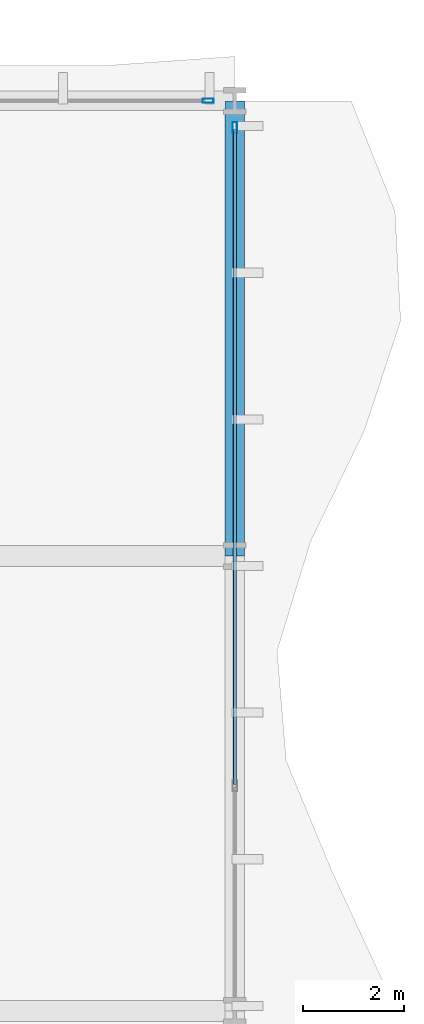
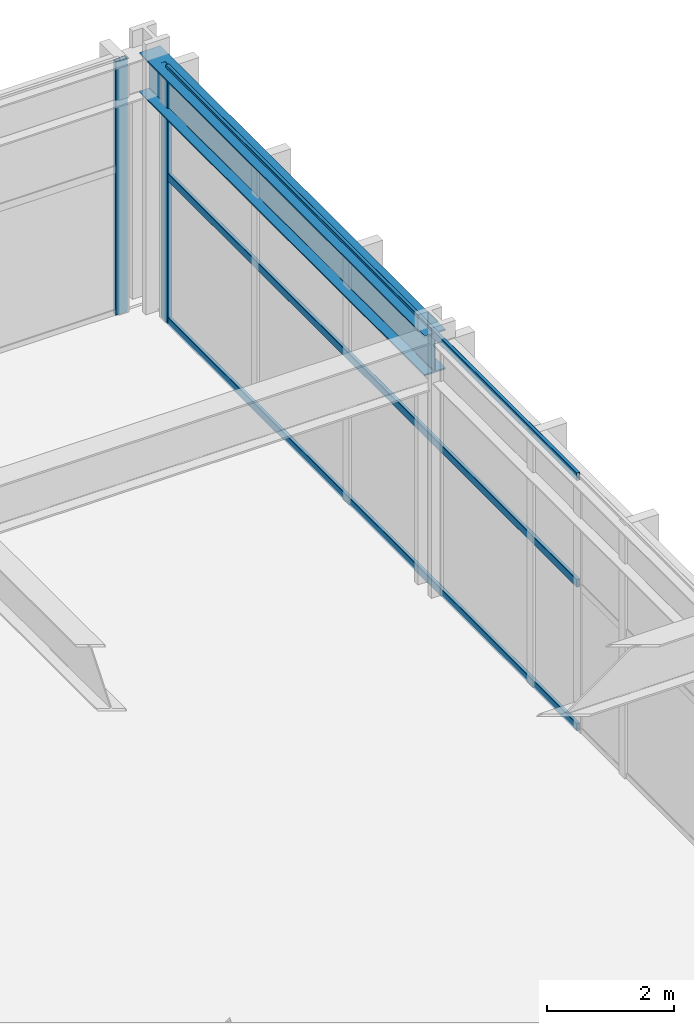
# One storey, part 20 of 33: 5 members, 1 beam, 2 elements without a shape of their own.
"""IFC4 building model written with IfcOpenShell, lengths in metres."""

import ifcopenshell
import ifcopenshell.guid

model = None  # the IFC model being written
_history = None  # IfcOwnerHistory: only IFC2X3 demands one
_inside = {}  # id of a spatial element -> (the spatial element, [elements in it])
_under = {}  # id of a project, library or spatial element -> (it, [spatial elements below it])
_declared = {}  # id of a project -> (the project, [libraries it declares])
_typed = {}  # id of a type object -> (the type object, [elements of that type])
_made_of = {}  # id of a material, layer set ... -> (it, [elements and type objects made of it])


def new_model(schema):
    """Start an empty IFC model of exactly this schema.

    Asked for "IFC4X3", IfcOpenShell would pick the latest addendum, in which some entities
    have other attributes; the version numbers below select the first issue.
    IFC2X3 requires an IfcOwnerHistory on every rooted entity: one is made here for all.
    """
    global model, _history
    if schema == "IFC4X3":
        model = ifcopenshell.file(schema_version=(4, 3, 0, 0))
    else:
        model = ifcopenshell.file(schema=schema)
    _inside.clear()
    _under.clear()
    _declared.clear()
    _typed.clear()
    _made_of.clear()
    _history = None
    if model.schema == "IFC2X3":
        org = make("IfcOrganization", Name="unknown")
        user = make(
            "IfcPersonAndOrganization",
            ThePerson=make("IfcPerson", FamilyName="unknown"),
            TheOrganization=org,
        )
        app = make(
            "IfcApplication",
            ApplicationDeveloper=org,
            Version="unknown",
            ApplicationFullName="unknown",
            ApplicationIdentifier="unknown",
        )
        _history = make(
            "IfcOwnerHistory",
            OwningUser=user,
            OwningApplication=app,
            ChangeAction="ADDED",
            CreationDate=0,
        )
    return model


def make(cls, **values):
    """One entity of the class cls with the attributes given. An attribute that is None is left unset."""
    return model.create_entity(
        cls, **{name: value for name, value in values.items() if value is not None}
    )


def rooted(cls, **values):
    """An entity with a GlobalId (a new one), such as an element, a storey or a relation."""
    return make(cls, GlobalId=ifcopenshell.guid.new(), OwnerHistory=_history, **values)


def si_unit(unit_type, name, prefix=None):
    """IfcSIUnit, for example si_unit("LENGTHUNIT", "METRE", prefix="MILLI")."""
    return make("IfcSIUnit", UnitType=unit_type, Prefix=prefix, Name=name)


def assignment(units):
    """IfcUnitAssignment: the units of a project."""
    return None if units is None else make("IfcUnitAssignment", Units=units)


def point(xyz):
    """IfcCartesianPoint."""
    return None if xyz is None else make("IfcCartesianPoint", Coordinates=xyz)


def direction(xyz):
    """IfcDirection."""
    return None if xyz is None else make("IfcDirection", DirectionRatios=xyz)


def frame(location, z_axis=None, x_axis=None):
    """IfcAxis2Placement3D, a coordinate frame: its origin and axes. An axis left out is left unset."""
    return make(
        "IfcAxis2Placement3D",
        Location=point(location),
        Axis=direction(z_axis),
        RefDirection=direction(x_axis),
    )


def frame_2d(location, x_axis=None):
    """IfcAxis2Placement2D, a coordinate frame in the plane: its origin and x axis."""
    return make(
        "IfcAxis2Placement2D", Location=point(location), RefDirection=direction(x_axis)
    )


def origin():
    """The frame at (0, 0, 0) with its axes left unset."""
    return frame((0.0, 0.0, 0.0))


def origin_2d():
    """The frame at (0, 0) in the plane with its x axis left unset."""
    return frame_2d((0.0, 0.0))


def place(relative_to, where):
    """IfcLocalPlacement: puts the frame where relative to a parent placement (None: the world)."""
    return make(
        "IfcLocalPlacement", PlacementRelTo=relative_to, RelativePlacement=where
    )


def context(
    kind, dimensions, precision=None, world=None, true_north=None, identifier=None
):
    """IfcGeometricRepresentationContext, for example the 3D "Model" context."""
    return make(
        "IfcGeometricRepresentationContext",
        ContextIdentifier=identifier,
        ContextType=kind,
        CoordinateSpaceDimension=dimensions,
        Precision=precision,
        WorldCoordinateSystem=world,
        TrueNorth=true_north,
    )


def subcontext(parent, identifier, kind, view, scale=None):
    """IfcGeometricRepresentationSubContext, for example "Body" below "Model"."""
    return make(
        "IfcGeometricRepresentationSubContext",
        ContextIdentifier=identifier,
        ContextType=kind,
        ParentContext=parent,
        TargetScale=scale,
        TargetView=view,
    )


def project(units=None, contexts=None):
    """IfcProject with its units and contexts."""
    return rooted(
        "IfcProject",
        Name="project",
        RepresentationContexts=contexts,
        UnitsInContext=assignment(units),
    )


def spatial(cls, under=None, at=None, **own):
    """A site, building, storey or space (cls), placed at a placement, below another one or the project."""
    s = rooted(cls, ObjectPlacement=at, **own)
    if under is not None:
        _under.setdefault(under.id(), (under, []))[1].append(s)
    return s


def profile(cls, at=None, kind="AREA", **sizes):
    """A parametric profile (cls). Its sizes go by their IFC names, for example OverallWidth=200.0."""
    return make(cls, ProfileType=kind, Position=at, **sizes)


def hollow_rectangle(**sizes):
    """IfcRectangleHollowProfileDef."""
    return profile("IfcRectangleHollowProfileDef", **sizes)


def i_section(**sizes):
    """IfcIShapeProfileDef."""
    return profile("IfcIShapeProfileDef", **sizes)


def extrude(swept, where, along, depth):
    """IfcExtrudedAreaSolid: the profile swept, set in the frame where, extruded along a direction by depth."""
    return make(
        "IfcExtrudedAreaSolid",
        SweptArea=swept,
        Position=where,
        ExtrudedDirection=direction(along),
        Depth=depth,
    )


def shape(context_of_items, identifier, shape_type, items):
    """IfcShapeRepresentation: the items that make up one representation, for example the "Body"."""
    return make(
        "IfcShapeRepresentation",
        ContextOfItems=context_of_items,
        RepresentationIdentifier=identifier,
        RepresentationType=shape_type,
        Items=items,
    )


def material(Name=None, Category=None):
    """IfcMaterial."""
    return make("IfcMaterial", Name=Name, Category=Category)


def layer(
    of_material, thickness, ventilated=None, Name=None, Category=None, Priority=None
):
    """IfcMaterialLayer: one layer of a wall or slab, of a material (None: an air gap)."""
    return make(
        "IfcMaterialLayer",
        Material=of_material,
        LayerThickness=thickness,
        IsVentilated=ventilated,
        Name=Name,
        Category=Category,
        Priority=Priority,
    )


def layer_set(layers, Name=None):
    """IfcMaterialLayerSet."""
    return make("IfcMaterialLayerSet", MaterialLayers=layers, LayerSetName=Name)


def material_profile(
    of_material, cross_section, Name=None, Category=None, Priority=None
):
    """IfcMaterialProfile: a cross section and its material."""
    return make(
        "IfcMaterialProfile",
        Name=Name,
        Material=of_material,
        Profile=cross_section,
        Priority=Priority,
        Category=Category,
    )


def profile_set(profiles, Name=None, composite=None):
    """IfcMaterialProfileSet."""
    return make(
        "IfcMaterialProfileSet",
        Name=Name,
        MaterialProfiles=profiles,
        CompositeProfile=composite,
    )


def made_of(thing, what):
    """Note that an element or type object is made of a material, layer set ...; save() writes the relation."""
    if what is not None:
        _made_of.setdefault(what.id(), (what, []))[1].append(thing)
    return thing


def type_object(cls, material=None, **own):
    """A type object (cls), such as IfcWallType, which elements share."""
    return made_of(rooted(cls, **own), material)


def element(
    cls,
    number,
    at=None,
    inside=None,
    cuts=None,
    type_object=None,
    material=None,
    context=None,
    identifier="Body",
    shape_type=None,
    held_by="IfcProductDefinitionShape",
    body=None,
    shapes=None,
    **own,
):
    """One element of the class cls, such as IfcWall. Its Tag is "e" and its number.

    at: its placement. inside: the storey or other place that contains it. cuts: it is an
    opening in that element (IfcRelVoidsElement). A single representation is given by context,
    identifier, shape_type and body (its items); several are given by shapes. held_by: the class
    of the entity that holds the representations. save() writes the other relations.
    """
    e = rooted(cls, Tag="e%d" % number, ObjectPlacement=at, **own)
    if body is not None:
        shapes = [shape(context, identifier, shape_type, body)]
    if shapes is not None:
        e.Representation = make(held_by, Representations=shapes)
    if inside is not None:
        _inside.setdefault(inside.id(), (inside, []))[1].append(e)
    if cuts is not None:
        rooted(
            "IfcRelVoidsElement", RelatingBuildingElement=cuts, RelatedOpeningElement=e
        )
    if type_object is not None:
        _typed.setdefault(type_object.id(), (type_object, []))[1].append(e)
    return made_of(e, material)


def aggregate(whole, parts):
    """IfcRelAggregates: a whole, such as a stair, and the parts it consists of."""
    return rooted("IfcRelAggregates", RelatingObject=whole, RelatedObjects=parts)


def save(model, path):
    """Write the relations noted so far, then the file.

    IfcRelAggregates (storeys below a building ...), IfcRelContainedInSpatialStructure (elements
    in a storey), IfcRelDefinesByType, IfcRelAssociatesMaterial and IfcRelDeclares: one each for
    every whole, place, type object, material and project.
    """
    for whole, parts in _under.values():
        aggregate(whole, parts)
    for where, things in _inside.values():
        rooted(
            "IfcRelContainedInSpatialStructure",
            RelatedElements=things,
            RelatingStructure=where,
        )
    for kind, things in _typed.values():
        rooted("IfcRelDefinesByType", RelatedObjects=things, RelatingType=kind)
    for what, things in _made_of.values():
        rooted("IfcRelAssociatesMaterial", RelatedObjects=things, RelatingMaterial=what)
    for by, libraries in _declared.values():
        rooted("IfcRelDeclares", RelatingContext=by, RelatedDefinitions=libraries)
    model.write(path)


model = new_model("IFC4")

# Units and contexts
model_context = context("Model", 3, precision=1e-05, world=origin(), true_north=direction((0.0, 1.0)))
body_context = subcontext(model_context, "Body", "Model", "MODEL_VIEW")
ifc_project = project(units=[si_unit("LENGTHUNIT", "METRE"), si_unit("AREAUNIT", "SQUARE_METRE"), si_unit("VOLUMEUNIT", "CUBIC_METRE"), si_unit("PLANEANGLEUNIT", "RADIAN"), si_unit("MASSUNIT", "GRAM", prefix="KILO")], contexts=[model_context])

# Site, building, storey
site_placement = place(None, origin())
site = spatial("IfcSite", under=ifc_project, at=site_placement, CompositionType="ELEMENT")
building_placement = place(site_placement, origin())
building = spatial("IfcBuilding", under=site, at=building_placement, Name="Solvaryn Broadcast Tower", CompositionType="ELEMENT")
storey_placement = place(building_placement, frame((0.0, 0.0, 5.800048828125)))
storey = spatial("IfcBuildingStorey", under=building, at=storey_placement, Name="L01", CompositionType="ELEMENT", Elevation=5.800048828125)

# Beam
ifc_material_1 = material(Name="Steel ASTM A992 Grade 50", Category="steel")
ifc_material_profile_1 = material_profile(ifc_material_1, i_section(OverallWidth=0.381103515625, OverallDepth=0.77294921875, WebThickness=0.0166015625, FlangeThickness=0.027099609375, FilletRadius=0.01806640625, at=origin_2d()))
ifc_profile_set_1 = profile_set([ifc_material_profile_1], Name="Steel ASTM A992 Grade 50")
beam_type = type_object("IfcBeamType", Name="BM-SP1-W30X173", PredefinedType="USERDEFINED", material=ifc_profile_set_1)
beam_placement = place(storey_placement, frame((63.0, 45.0, 4.493408203125), z_axis=(0.0, 1.0, 0.0), x_axis=(-1.0, 0.0, 0.0)))
element("IfcBeam", 1, at=beam_placement, inside=storey, type_object=beam_type, Name="L01 Spandrel Beam Y (45-54 @ X=63)", ObjectType="SPANDREL", PredefinedType="USERDEFINED", context=body_context, shape_type="SweptSolid", body=[
    extrude(i_section(OverallWidth=0.381103515625, OverallDepth=0.77294921875, WebThickness=0.0166015625, FlangeThickness=0.027099609375, FilletRadius=0.01806640625, at=origin_2d()), origin(), (0.0, 0.0, 1.0), 9.0),
])

# Curtain wall, member
ifc_material_2 = material(Name="Aluminium and Terracotta Unitised Curtain Wall", Category="masonry")
ifc_layer = layer(ifc_material_2, 0.219970703125)
ifc_layer_set = layer_set([ifc_layer], Name="CW-SYS1-PODIUM")
curtain_wall_type = type_object("IfcCurtainWallType", Name="CW-SYS1-PODIUM", PredefinedType="NOTDEFINED", material=ifc_layer_set)
curtain_wall_1_placement = place(storey_placement, origin())
curtain_wall_1 = element("IfcCurtainWall", 2, at=curtain_wall_1_placement, inside=storey, type_object=curtain_wall_type, Name="L01 Podium Curtain Wall N2", PredefinedType="NOTDEFINED")
ifc_material_3 = material(Name="Anodised Aluminium 6063-T6", Category="aluminium")
ifc_material_profile_2 = material_profile(ifc_material_3, hollow_rectangle(XDim=0.0849609375, YDim=0.219970703125, WallThickness=0.0048828125, InnerFilletRadius=0.0048828125, OuterFilletRadius=0.010009765625, at=origin_2d()))
ifc_profile_set_2 = profile_set([ifc_material_profile_2], Name="Anodised Aluminium 6063-T6")
member_type_1 = type_object("IfcMemberType", Name="CW-MUL-220", PredefinedType="MULLION", material=ifc_profile_set_2)
member_1_placement = place(storey_placement, frame((62.469970703125, 54.0, 0.0), z_axis=(0.0, 0.0, 1.0), x_axis=(0.0, 1.0, 0.0)))
member_1 = element("IfcMember", 3, at=member_1_placement, type_object=member_type_1, Name="CWS1 mullion 3", PredefinedType="MULLION", context=body_context, shape_type="SweptSolid", body=[
    extrude(hollow_rectangle(XDim=0.0849609375, YDim=0.219970703125, WallThickness=0.0048828125, InnerFilletRadius=0.0048828125, OuterFilletRadius=0.010009765625, at=origin_2d()), origin(), (0.0, 0.0, 1.0), 4.8798828125),
])
aggregate(curtain_wall_1, [member_1])

# Curtain wall, members
curtain_wall_2_placement = place(storey_placement, origin())
curtain_wall_2 = element("IfcCurtainWall", 4, at=curtain_wall_2_placement, inside=storey, type_object=curtain_wall_type, Name="L01 Podium Curtain Wall E1", PredefinedType="NOTDEFINED")
member_2_placement = place(storey_placement, frame((63.0, 53.469970703125, 0.0), z_axis=(0.0, 0.0, 1.0), x_axis=(1.0, 0.0, 0.0)))
member_2 = element("IfcMember", 5, at=member_2_placement, type_object=member_type_1, Name="CWS1 mullion 1", PredefinedType="MULLION", context=body_context, shape_type="SweptSolid", body=[
    extrude(hollow_rectangle(XDim=0.0849609375, YDim=0.219970703125, WallThickness=0.0048828125, InnerFilletRadius=0.0048828125, OuterFilletRadius=0.010009765625, at=origin_2d()), origin(), (0.0, 0.0, 1.0), 4.8798828125),
])
ifc_material_4 = material(Name="Anodised Aluminium 6063-T6", Category="aluminium")
ifc_material_profile_3 = material_profile(ifc_material_4, hollow_rectangle(XDim=0.06494140625, YDim=0.14990234375, WallThickness=0.00390625, InnerFilletRadius=0.00390625, OuterFilletRadius=0.008056640625, at=origin_2d()))
ifc_profile_set_3 = profile_set([ifc_material_profile_3], Name="Anodised Aluminium 6063-T6")
member_type_2 = type_object("IfcMemberType", Name="CW-TRN-150", PredefinedType="USERDEFINED", material=ifc_profile_set_3)
member_3_placement = place(storey_placement, frame((63.0, 53.43994140625, 0.030029296875), z_axis=(0.0, -1.0, 0.0), x_axis=(1.0, 0.0, 0.0)))
member_3 = element("IfcMember", 6, at=member_3_placement, type_object=member_type_2, Name="CWS1 transom 1.1", ObjectType="TRANSOM", PredefinedType="USERDEFINED", context=body_context, shape_type="SweptSolid", body=[
    extrude(hollow_rectangle(XDim=0.06494140625, YDim=0.14990234375, WallThickness=0.00390625, InnerFilletRadius=0.00390625, OuterFilletRadius=0.008056640625, at=origin_2d()), origin(), (0.0, 0.0, 1.0), 12.9599609375),
])
member_4_placement = place(storey_placement, frame((63.0, 53.43994140625, 2.800048828125), z_axis=(0.0, -1.0, 0.0), x_axis=(1.0, 0.0, 0.0)))
member_4 = element("IfcMember", 7, at=member_4_placement, type_object=member_type_2, Name="CWS1 transom 1.2", ObjectType="TRANSOM", PredefinedType="USERDEFINED", context=body_context, shape_type="SweptSolid", body=[
    extrude(hollow_rectangle(XDim=0.06494140625, YDim=0.14990234375, WallThickness=0.00390625, InnerFilletRadius=0.00390625, OuterFilletRadius=0.008056640625, at=origin_2d()), origin(), (0.0, 0.0, 1.0), 12.9599609375),
])
member_5_placement = place(storey_placement, frame((63.0, 53.43994140625, 4.849853515625), z_axis=(0.0, -1.0, 0.0), x_axis=(1.0, 0.0, 0.0)))
member_5 = element("IfcMember", 8, at=member_5_placement, type_object=member_type_2, Name="CWS1 transom 1.3", ObjectType="TRANSOM", PredefinedType="USERDEFINED", context=body_context, shape_type="SweptSolid", body=[
    extrude(hollow_rectangle(XDim=0.06494140625, YDim=0.14990234375, WallThickness=0.00390625, InnerFilletRadius=0.00390625, OuterFilletRadius=0.008056640625, at=origin_2d()), origin(), (0.0, 0.0, 1.0), 12.9599609375),
])
aggregate(curtain_wall_2, [member_2, member_3, member_4, member_5])

save(model, "model.ifc")
